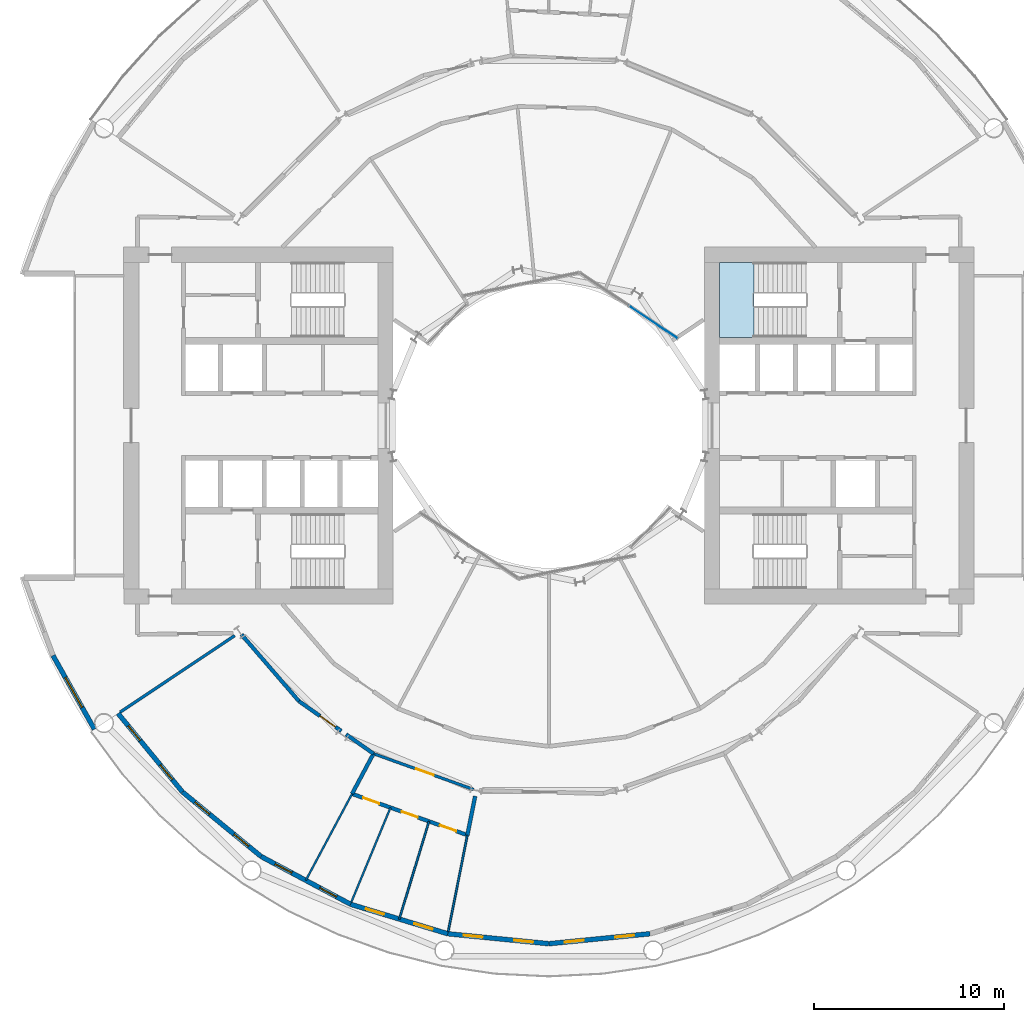
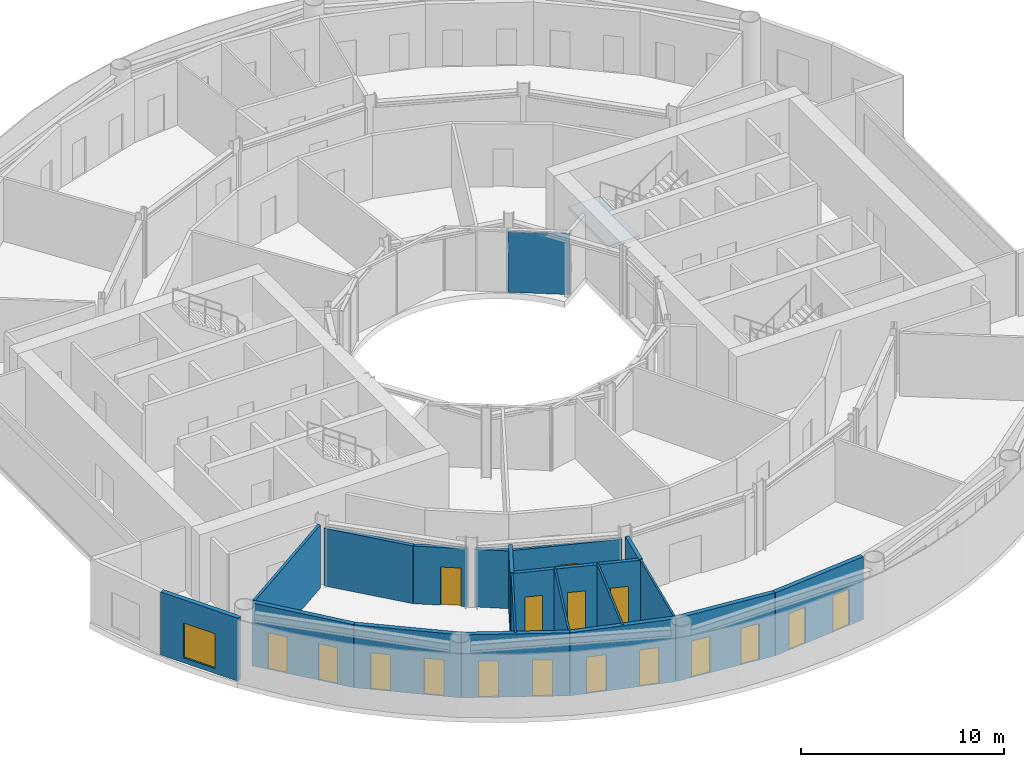
# One storey, part 10 of 19: 19 walls, 17 doors, 1 plate, 1 slab, 1 window, 18 openings, 2 elements without a shape of their own.
"""IFC4 building model written with IfcOpenShell, lengths in metres."""

from ifc_helpers import new_model, si_unit, direction, frame, frame_2d, origin, origin_2d, place, context, subcontext, project, spatial, polyline, rectangle, outline, extrude, material, layer, layer_set, type_object, element, fill, aggregate, save


model = new_model("IFC4")

# Units and contexts
model_context = context("Model", 3, precision=1e-05, world=origin(), true_north=direction((0.0, 1.0)))
body_context = subcontext(model_context, "Body", "Model", "MODEL_VIEW")
ifc_project = project(units=[si_unit("LENGTHUNIT", "METRE"), si_unit("AREAUNIT", "SQUARE_METRE"), si_unit("VOLUMEUNIT", "CUBIC_METRE"), si_unit("PLANEANGLEUNIT", "RADIAN"), si_unit("MASSUNIT", "GRAM", prefix="KILO")], contexts=[model_context])

# Site, building, storey
site_placement = place(None, origin())
site = spatial("IfcSite", under=ifc_project, at=site_placement, CompositionType="ELEMENT")
building_placement = place(site_placement, origin())
building = spatial("IfcBuilding", under=site, at=building_placement, Name="Maasbend Ring Residences", CompositionType="ELEMENT")
storey_placement = place(building_placement, frame((0.0, 0.0, 53.300048828125)))
storey = spatial("IfcBuildingStorey", under=building, at=storey_placement, Name="L15", CompositionType="ELEMENT", Elevation=53.300048828125)

# Stair, slab
ifc_material_1 = material(Name="Concrete C40/50", Category="concrete")
stair_type = type_object("IfcStairType", Name="CORE STAIR 24 RISERS", PredefinedType="HALF_TURN_STAIR", material=ifc_material_1)
stair_placement = place(storey_placement, origin())
stair = element("IfcStair", 1, at=stair_placement, inside=storey, type_object=stair_type, Name="L15 Exit stair ST-E1", PredefinedType="HALF_TURN_STAIR")
ifc_material_2 = material(Name="Concrete C40/50", Category="concrete")
ifc_layer_1 = layer(ifc_material_2, 0.199951171875)
ifc_layer_set_1 = layer_set([ifc_layer_1], Name="Concrete C40/50")
slab_type = type_object("IfcSlabType", Name="CORE STAIR LANDING 200", PredefinedType="LANDING", material=ifc_layer_set_1)
slab_placement = place(storey_placement, frame((0.0, 0.0, 1.89990234375)))
slab = element("IfcSlab", 2, at=slab_placement, type_object=slab_type, Name="ST-E1 landing 1", PredefinedType="LANDING", context=body_context, shape_type="SweptSolid", body=[
    extrude(outline(polyline([(10.800048828125, 8.60009765625), (9.0, 8.60009765625), (9.0, 4.64990234375), (10.800048828125, 4.64990234375), (10.800048828125, 8.60009765625)])), origin(), (0.0, 0.0, 1.0), 0.199951171875),
])
aggregate(stair, [slab])

# Curtain wall, plate
ifc_material_3 = material(Name="Aluminium and clear glass", Category="aluminium")
ifc_layer_2 = layer(ifc_material_3, 0.179931640625)
ifc_layer_set_2 = layer_set([ifc_layer_2], Name="CW-W")
curtain_wall_type = type_object("IfcCurtainWallType", Name="CW-W", PredefinedType="NOTDEFINED", material=ifc_layer_set_2)
curtain_wall_placement = place(storey_placement, origin())
curtain_wall = element("IfcCurtainWall", 3, at=curtain_wall_placement, inside=storey, type_object=curtain_wall_type, Name="Well curtain wall N1", PredefinedType="NOTDEFINED")
ifc_material_4 = material(Name="Glass clear laminated", Category="glass")
ifc_layer_3 = layer(ifc_material_4, 0.031982421875)
ifc_layer_set_3 = layer_set([ifc_layer_3], Name="CWP-W")
plate_type = type_object("IfcPlateType", Name="CWP-W", PredefinedType="CURTAIN_PANEL", material=ifc_layer_set_3)
plate_placement = place(storey_placement, frame((5.51123046875, 5.44580078125, 0.0), z_axis=(0.0, 0.0, 1.0), x_axis=(-0.831469612303, 0.55557023302, 0.0)))
plate = element("IfcPlate", 4, at=plate_placement, type_object=plate_type, Name="Glass panel well face", PredefinedType="CURTAIN_PANEL", context=body_context, shape_type="SweptSolid", body=[
    extrude(rectangle(XDim=3.053955078125, YDim=0.031982421875, at=origin_2d()), origin(), (0.0, 0.0, 1.0), 3.679931640625),
])
aggregate(curtain_wall, [plate])

# Wall, openings, doors
ifc_material_5 = material(Name="Concrete C30/37", Category="concrete")
ifc_layer_4 = layer(ifc_material_5, 0.199951171875)
ifc_layer_set_4 = layer_set([ifc_layer_4], Name="Concrete C30/37")
wall_type_1 = type_object("IfcWallType", Name="CORRIDOR WALL 200 CONCRETE", PredefinedType="PARTITIONING", material=ifc_layer_set_4)
wall_1_placement = place(storey_placement, frame((-10.373046875, -19.40087890625, 0.0), z_axis=(0.0, 0.0, 1.0), x_axis=(0.941534771306, -0.336915826909, 0.0)))
wall_1 = element("IfcWall", 5, at=wall_1_placement, inside=storey, type_object=wall_type_1, Name="U-L15-w001", PredefinedType="PARTITIONING", context=body_context, shape_type="SweptSolid", body=[
    extrude(rectangle(XDim=6.458740234375, YDim=0.199951171875, at=frame_2d((3.2294921875, 0.0))), origin(), (0.0, 0.0, 1.0), 3.800048828125),
])
opening_1_placement = place(wall_1_placement, frame((0.626953125, 0.0, 0.0)))
opening_1 = element("IfcOpeningElement", 6, at=opening_1_placement, cuts=wall_1, Name="Opening D-1506", PredefinedType="OPENING", context=body_context, shape_type="SweptSolid", body=[
    extrude(rectangle(XDim=0.89990234375, YDim=2.300048828125, at=frame_2d((0.449951171875, 1.14990234375))), frame((0.0, 0.10986328125, 0.0), z_axis=(0.0, -1.0, 0.0), x_axis=(1.0, 0.0, 0.0)), (0.0, 0.0, 1.0), 0.219970703125),
])
opening_2_placement = place(wall_1_placement, frame((2.781005859375, 0.0, 0.0)))
opening_2 = element("IfcOpeningElement", 7, at=opening_2_placement, cuts=wall_1, Name="Opening D-1507", PredefinedType="OPENING", context=body_context, shape_type="SweptSolid", body=[
    extrude(rectangle(XDim=0.89990234375, YDim=2.300048828125, at=frame_2d((0.449951171875, 1.14990234375))), frame((0.0, 0.10986328125, 0.0), z_axis=(0.0, -1.0, 0.0), x_axis=(1.0, 0.0, 0.0)), (0.0, 0.0, 1.0), 0.219970703125),
])
opening_3_placement = place(wall_1_placement, frame((4.93310546875, 0.0, 0.0)))
opening_3 = element("IfcOpeningElement", 8, at=opening_3_placement, cuts=wall_1, Name="Opening D-1508", PredefinedType="OPENING", context=body_context, shape_type="SweptSolid", body=[
    extrude(rectangle(XDim=0.89990234375, YDim=2.300048828125, at=frame_2d((0.449951171875, 1.14990234375))), frame((0.0, 0.10986328125, 0.0), z_axis=(0.0, -1.0, 0.0), x_axis=(1.0, 0.0, 0.0)), (0.0, 0.0, 1.0), 0.219970703125),
])
ifc_material_6 = material(Name="Timber, painted", Category="wood")
door_type_1 = type_object("IfcDoorType", Name="INTERNAL DOOR 900 X 2300", OperationType="NOTDEFINED", PredefinedType="DOOR", material=ifc_material_6)
door_1_placement = place(opening_1_placement, origin())
door_1 = element("IfcDoor", 9, at=door_1_placement, inside=storey, type_object=door_type_1, Name="D-1506", OperationType="SINGLE_SWING_LEFT", OverallHeight=2.300048828125, OverallWidth=0.89990234375, PredefinedType="DOOR", context=body_context, shape_type="SweptSolid", body=[
    extrude(rectangle(XDim=0.89990234375, YDim=2.300048828125, at=frame_2d((0.449951171875, 1.14990234375))), frame((0.0, 0.02490234375, 0.0), z_axis=(0.0, -1.0, 0.0), x_axis=(1.0, 0.0, 0.0)), (0.0, 0.0, 1.0), 0.050048828125),
])
fill(opening_1, door_1)
door_2_placement = place(opening_2_placement, origin())
door_2 = element("IfcDoor", 10, at=door_2_placement, inside=storey, type_object=door_type_1, Name="D-1507", OperationType="SINGLE_SWING_RIGHT", OverallHeight=2.300048828125, OverallWidth=0.89990234375, PredefinedType="DOOR", context=body_context, shape_type="SweptSolid", body=[
    extrude(rectangle(XDim=0.89990234375, YDim=2.300048828125, at=frame_2d((0.449951171875, 1.14990234375))), frame((0.0, 0.02490234375, 0.0), z_axis=(0.0, -1.0, 0.0), x_axis=(1.0, 0.0, 0.0)), (0.0, 0.0, 1.0), 0.050048828125),
])
fill(opening_2, door_2)
door_3_placement = place(opening_3_placement, origin())
door_3 = element("IfcDoor", 11, at=door_3_placement, inside=storey, type_object=door_type_1, Name="D-1508", OperationType="SINGLE_SWING_RIGHT", OverallHeight=2.300048828125, OverallWidth=0.89990234375, PredefinedType="DOOR", context=body_context, shape_type="SweptSolid", body=[
    extrude(rectangle(XDim=0.89990234375, YDim=2.300048828125, at=frame_2d((0.449951171875, 1.14990234375))), frame((0.0, 0.02490234375, 0.0), z_axis=(0.0, -1.0, 0.0), x_axis=(1.0, 0.0, 0.0)), (0.0, 0.0, 1.0), 0.050048828125),
])
fill(opening_3, door_3)

# Wall
wall_2_placement = place(storey_placement, frame((-16.196044921875, -11.006103515625, 0.0), z_axis=(0.0, 0.0, 1.0), x_axis=(0.653087281304, -0.757282644063, 0.0)))
element("IfcWall", 12, at=wall_2_placement, inside=storey, type_object=wall_type_1, Name="U-L15-w004", PredefinedType="PARTITIONING", context=body_context, shape_type="SweptSolid", body=[
    extrude(rectangle(XDim=4.64404296875, YDim=0.199951171875, at=frame_2d((2.322021484375, 0.0))), origin(), (0.0, 0.0, 1.0), 3.47998046875),
])

# Wall, opening, door
wall_3_placement = place(storey_placement, frame((-13.1630859375, -14.52294921875, 0.0), z_axis=(0.0, 0.0, 1.0), x_axis=(0.817764243714, -0.575553335237, 0.0)))
wall_3 = element("IfcWall", 13, at=wall_3_placement, inside=storey, type_object=wall_type_1, Name="U-L15-w005", PredefinedType="PARTITIONING", context=body_context, shape_type="SweptSolid", body=[
    extrude(rectangle(XDim=2.724609375, YDim=0.199951171875, at=frame_2d((1.3623046875, 0.0))), origin(), (0.0, 0.0, 1.0), 3.47998046875),
])
opening_4_placement = place(wall_3_placement, frame((1.35009765625, 0.0, 0.0)))
opening_4 = element("IfcOpeningElement", 14, at=opening_4_placement, cuts=wall_3, Name="Opening D-1516", PredefinedType="OPENING", context=body_context, shape_type="SweptSolid", body=[
    extrude(rectangle(XDim=1.0, YDim=2.300048828125, at=frame_2d((0.5, 1.14990234375))), frame((0.0, 0.10986328125, 0.0), z_axis=(0.0, -1.0, 0.0), x_axis=(1.0, 0.0, 0.0)), (0.0, 0.0, 1.0), 0.219970703125),
])
ifc_material_7 = material(Name="Timber, painted", Category="wood")
door_type_2 = type_object("IfcDoorType", Name="ROOM DOOR 1000 X 2300", OperationType="NOTDEFINED", PredefinedType="DOOR", material=ifc_material_7)
door_4_placement = place(opening_4_placement, origin())
door_4 = element("IfcDoor", 15, at=door_4_placement, inside=storey, type_object=door_type_2, Name="D-1516", OperationType="SINGLE_SWING_RIGHT", OverallHeight=2.300048828125, OverallWidth=1.0, PredefinedType="DOOR", context=body_context, shape_type="SweptSolid", body=[
    extrude(rectangle(XDim=1.0, YDim=2.300048828125, at=frame_2d((0.5, 1.14990234375))), frame((0.0, 0.02490234375, 0.0), z_axis=(0.0, -1.0, 0.0), x_axis=(1.0, 0.0, 0.0)), (0.0, 0.0, 1.0), 0.050048828125),
])
fill(opening_4, door_4)

# Walls
wall_4_placement = place(storey_placement, frame((-10.68603515625, -16.26708984375, 0.0), z_axis=(0.0, 0.0, 1.0), x_axis=(0.81766692021, -0.575691590693, 0.0)))
element("IfcWall", 16, at=wall_4_placement, inside=storey, type_object=wall_type_1, Name="U-L15-w006", PredefinedType="PARTITIONING", context=body_context, shape_type="SweptSolid", body=[
    extrude(rectangle(XDim=1.769775390625, YDim=0.199951171875, at=frame_2d((0.884765625, 0.0))), origin(), (0.0, 0.0, 1.0), 3.47998046875),
])
wall_5_placement = place(storey_placement, frame((-10.3701171875, -19.402099609375, 0.0), z_axis=(0.0, 0.0, 1.0), x_axis=(0.471385457832, 0.881927293004, 0.0)))
element("IfcWall", 17, at=wall_5_placement, inside=storey, type_object=wall_type_1, Name="U-L15-w031", PredefinedType="PARTITIONING", context=body_context, shape_type="SweptSolid", body=[
    extrude(rectangle(XDim=2.3994140625, YDim=0.199951171875, at=frame_2d((1.19970703125, 0.0))), origin(), (0.0, 0.0, 1.0), 3.800048828125),
])
wall_6_placement = place(storey_placement, frame((-4.2919921875, -21.576904296875, 0.0), z_axis=(0.0, 0.0, 1.0), x_axis=(0.195195020704, 0.98076444873, 0.0)))
element("IfcWall", 18, at=wall_6_placement, inside=storey, type_object=wall_type_1, Name="U-L15-w036", PredefinedType="PARTITIONING", context=body_context, shape_type="SweptSolid", body=[
    extrude(rectangle(XDim=2.090087890625, YDim=0.199951171875, at=frame_2d((1.044921875, 0.0))), origin(), (0.0, 0.0, 1.0), 3.800048828125),
])

# Wall, openings, doors
ifc_material_8 = material(Name="Aluminium clad insulated panel", Category="aluminium")
ifc_layer_5 = layer(ifc_material_8, 0.25)
ifc_layer_set_5 = layer_set([ifc_layer_5], Name="EW-GL")
wall_type_2 = type_object("IfcWallType", Name="EW-GL", PredefinedType="SOLIDWALL", material=ifc_layer_set_5)
wall_7_placement = place(storey_placement, frame((-22.698974609375, -15.1669921875, 0.0), z_axis=(0.0, 0.0, 1.0), x_axis=(0.634382322723, -0.773019449054, 0.0)))
wall_7 = element("IfcWall", 19, at=wall_7_placement, inside=storey, type_object=wall_type_2, Name="External wall S01", PredefinedType="SOLIDWALL", context=body_context, shape_type="SweptSolid", body=[
    extrude(rectangle(XDim=5.351806640625, YDim=0.25, at=frame_2d((2.67578125, 0.0))), origin(), (0.0, 0.0, 1.0), 3.800048828125),
])
opening_5_placement = place(wall_7_placement, frame((0.841064453125, 0.0, 0.0)))
opening_5 = element("IfcOpeningElement", 20, at=opening_5_placement, cuts=wall_7, Name="Opening D-LG", PredefinedType="OPENING", context=body_context, shape_type="SweptSolid", body=[
    extrude(rectangle(XDim=1.0, YDim=2.199951171875, at=frame_2d((0.5, 1.10009765625))), frame((0.0, 0.135009765625, 0.0), z_axis=(0.0, -1.0, 0.0), x_axis=(1.0, 0.0, 0.0)), (0.0, 0.0, 1.0), 0.27001953125),
])
opening_6_placement = place(wall_7_placement, frame((3.510498046875, 0.0, 0.0)))
opening_6 = element("IfcOpeningElement", 21, at=opening_6_placement, cuts=wall_7, Name="Opening D-LG", PredefinedType="OPENING", context=body_context, shape_type="SweptSolid", body=[
    extrude(rectangle(XDim=1.0, YDim=2.199951171875, at=frame_2d((0.5, 1.10009765625))), frame((0.0, 0.135009765625, 0.0), z_axis=(0.0, -1.0, 0.0), x_axis=(1.0, 0.0, 0.0)), (0.0, 0.0, 1.0), 0.27001953125),
])
ifc_material_9 = material(Name="Aluminium and clear glass", Category="aluminium")
door_type_3 = type_object("IfcDoorType", Name="D-LG", OperationType="SINGLE_SWING_LEFT", PredefinedType="DOOR", material=ifc_material_9)
door_5_placement = place(opening_5_placement, origin())
door_5 = element("IfcDoor", 22, at=door_5_placement, inside=storey, type_object=door_type_3, Name="Loggia door S01", OperationType="SINGLE_SWING_LEFT", OverallHeight=2.199951171875, OverallWidth=1.0, PredefinedType="DOOR", context=body_context, shape_type="SweptSolid", body=[
    extrude(rectangle(XDim=1.0, YDim=2.199951171875, at=frame_2d((0.5, 1.10009765625))), frame((0.0, 0.02490234375, 0.0), z_axis=(0.0, -1.0, 0.0), x_axis=(1.0, 0.0, 0.0)), (0.0, 0.0, 1.0), 0.050048828125),
])
fill(opening_5, door_5)
door_6_placement = place(opening_6_placement, origin())
door_6 = element("IfcDoor", 23, at=door_6_placement, inside=storey, type_object=door_type_3, Name="Loggia door S02", OperationType="SINGLE_SWING_LEFT", OverallHeight=2.199951171875, OverallWidth=1.0, PredefinedType="DOOR", context=body_context, shape_type="SweptSolid", body=[
    extrude(rectangle(XDim=1.0, YDim=2.199951171875, at=frame_2d((0.5, 1.10009765625))), frame((0.0, 0.02490234375, 0.0), z_axis=(0.0, -1.0, 0.0), x_axis=(1.0, 0.0, 0.0)), (0.0, 0.0, 1.0), 0.050048828125),
])
fill(opening_6, door_6)

wall_8_placement = place(storey_placement, frame((-19.303955078125, -19.303955078125, 0.0), z_axis=(0.0, 0.0, 1.0), x_axis=(0.773019449054, -0.634382322723, 0.0)))
wall_8 = element("IfcWall", 24, at=wall_8_placement, inside=storey, type_object=wall_type_2, Name="External wall S02", PredefinedType="SOLIDWALL", context=body_context, shape_type="SweptSolid", body=[
    extrude(rectangle(XDim=5.351806640625, YDim=0.25, at=frame_2d((2.67578125, 0.0))), origin(), (0.0, 0.0, 1.0), 3.800048828125),
])
opening_7_placement = place(wall_8_placement, frame((0.841064453125, 0.0, 0.0)))
opening_7 = element("IfcOpeningElement", 25, at=opening_7_placement, cuts=wall_8, Name="Opening D-LG", PredefinedType="OPENING", context=body_context, shape_type="SweptSolid", body=[
    extrude(rectangle(XDim=1.0, YDim=2.199951171875, at=frame_2d((0.5, 1.10009765625))), frame((0.0, 0.135009765625, 0.0), z_axis=(0.0, -1.0, 0.0), x_axis=(1.0, 0.0, 0.0)), (0.0, 0.0, 1.0), 0.27001953125),
])
opening_8_placement = place(wall_8_placement, frame((3.510498046875, 0.0, 0.0)))
opening_8 = element("IfcOpeningElement", 26, at=opening_8_placement, cuts=wall_8, Name="Opening D-LG", PredefinedType="OPENING", context=body_context, shape_type="SweptSolid", body=[
    extrude(rectangle(XDim=1.0, YDim=2.199951171875, at=frame_2d((0.5, 1.10009765625))), frame((0.0, 0.135009765625, 0.0), z_axis=(0.0, -1.0, 0.0), x_axis=(1.0, 0.0, 0.0)), (0.0, 0.0, 1.0), 0.27001953125),
])
door_7_placement = place(opening_7_placement, origin())
door_7 = element("IfcDoor", 27, at=door_7_placement, inside=storey, type_object=door_type_3, Name="Loggia door S03", OperationType="SINGLE_SWING_LEFT", OverallHeight=2.199951171875, OverallWidth=1.0, PredefinedType="DOOR", context=body_context, shape_type="SweptSolid", body=[
    extrude(rectangle(XDim=1.0, YDim=2.199951171875, at=frame_2d((0.5, 1.10009765625))), frame((0.0, 0.02490234375, 0.0), z_axis=(0.0, -1.0, 0.0), x_axis=(1.0, 0.0, 0.0)), (0.0, 0.0, 1.0), 0.050048828125),
])
fill(opening_7, door_7)
door_8_placement = place(opening_8_placement, origin())
door_8 = element("IfcDoor", 28, at=door_8_placement, inside=storey, type_object=door_type_3, Name="Loggia door S04", OperationType="SINGLE_SWING_LEFT", OverallHeight=2.199951171875, OverallWidth=1.0, PredefinedType="DOOR", context=body_context, shape_type="SweptSolid", body=[
    extrude(rectangle(XDim=1.0, YDim=2.199951171875, at=frame_2d((0.5, 1.10009765625))), frame((0.0, 0.02490234375, 0.0), z_axis=(0.0, -1.0, 0.0), x_axis=(1.0, 0.0, 0.0)), (0.0, 0.0, 1.0), 0.050048828125),
])
fill(opening_8, door_8)

wall_9_placement = place(storey_placement, frame((-15.1669921875, -22.698974609375, 0.0), z_axis=(0.0, 0.0, 1.0), x_axis=(0.881915646801, -0.471407246368, 0.0)))
wall_9 = element("IfcWall", 29, at=wall_9_placement, inside=storey, type_object=wall_type_2, Name="External wall S03", PredefinedType="SOLIDWALL", context=body_context, shape_type="SweptSolid", body=[
    extrude(rectangle(XDim=5.35205078125, YDim=0.25, at=frame_2d((2.676025390625, 0.0))), origin(), (0.0, 0.0, 1.0), 3.800048828125),
])
opening_9_placement = place(wall_9_placement, frame((0.841064453125, 0.0, 0.0)))
opening_9 = element("IfcOpeningElement", 30, at=opening_9_placement, cuts=wall_9, Name="Opening D-LG", PredefinedType="OPENING", context=body_context, shape_type="SweptSolid", body=[
    extrude(rectangle(XDim=1.0, YDim=2.199951171875, at=frame_2d((0.5, 1.10009765625))), frame((0.0, 0.135009765625, 0.0), z_axis=(0.0, -1.0, 0.0), x_axis=(1.0, 0.0, 0.0)), (0.0, 0.0, 1.0), 0.27001953125),
])
opening_10_placement = place(wall_9_placement, frame((3.510498046875, 0.0, 0.0)))
opening_10 = element("IfcOpeningElement", 31, at=opening_10_placement, cuts=wall_9, Name="Opening D-LG", PredefinedType="OPENING", context=body_context, shape_type="SweptSolid", body=[
    extrude(rectangle(XDim=1.0, YDim=2.199951171875, at=frame_2d((0.5, 1.10009765625))), frame((0.0, 0.135009765625, 0.0), z_axis=(0.0, -1.0, 0.0), x_axis=(1.0, 0.0, 0.0)), (0.0, 0.0, 1.0), 0.27001953125),
])
door_9_placement = place(opening_9_placement, origin())
door_9 = element("IfcDoor", 32, at=door_9_placement, inside=storey, type_object=door_type_3, Name="Loggia door S05", OperationType="SINGLE_SWING_LEFT", OverallHeight=2.199951171875, OverallWidth=1.0, PredefinedType="DOOR", context=body_context, shape_type="SweptSolid", body=[
    extrude(rectangle(XDim=1.0, YDim=2.199951171875, at=frame_2d((0.5, 1.10009765625))), frame((0.0, 0.02490234375, 0.0), z_axis=(0.0, -1.0, 0.0), x_axis=(1.0, 0.0, 0.0)), (0.0, 0.0, 1.0), 0.050048828125),
])
fill(opening_9, door_9)
door_10_placement = place(opening_10_placement, origin())
door_10 = element("IfcDoor", 33, at=door_10_placement, inside=storey, type_object=door_type_3, Name="Loggia door S06", OperationType="SINGLE_SWING_LEFT", OverallHeight=2.199951171875, OverallWidth=1.0, PredefinedType="DOOR", context=body_context, shape_type="SweptSolid", body=[
    extrude(rectangle(XDim=1.0, YDim=2.199951171875, at=frame_2d((0.5, 1.10009765625))), frame((0.0, 0.02490234375, 0.0), z_axis=(0.0, -1.0, 0.0), x_axis=(1.0, 0.0, 0.0)), (0.0, 0.0, 1.0), 0.050048828125),
])
fill(opening_10, door_10)

wall_10_placement = place(storey_placement, frame((-10.447021484375, -25.221923828125, 0.0), z_axis=(0.0, 0.0, 1.0), x_axis=(0.956965678721, -0.290201119486, 0.0)))
wall_10 = element("IfcWall", 34, at=wall_10_placement, inside=storey, type_object=wall_type_2, Name="External wall S04", PredefinedType="SOLIDWALL", context=body_context, shape_type="SweptSolid", body=[
    extrude(rectangle(XDim=5.351318359375, YDim=0.25, at=frame_2d((2.67578125, 0.0))), origin(), (0.0, 0.0, 1.0), 3.800048828125),
])
opening_11_placement = place(wall_10_placement, frame((0.841064453125, 0.0, 0.0)))
opening_11 = element("IfcOpeningElement", 35, at=opening_11_placement, cuts=wall_10, Name="Opening D-LG", PredefinedType="OPENING", context=body_context, shape_type="SweptSolid", body=[
    extrude(rectangle(XDim=1.0, YDim=2.199951171875, at=frame_2d((0.5, 1.10009765625))), frame((0.0, 0.135009765625, 0.0), z_axis=(0.0, -1.0, 0.0), x_axis=(1.0, 0.0, 0.0)), (0.0, 0.0, 1.0), 0.27001953125),
])
opening_12_placement = place(wall_10_placement, frame((3.510498046875, 0.0, 0.0)))
opening_12 = element("IfcOpeningElement", 36, at=opening_12_placement, cuts=wall_10, Name="Opening D-LG", PredefinedType="OPENING", context=body_context, shape_type="SweptSolid", body=[
    extrude(rectangle(XDim=1.0, YDim=2.199951171875, at=frame_2d((0.5, 1.10009765625))), frame((0.0, 0.135009765625, 0.0), z_axis=(0.0, -1.0, 0.0), x_axis=(1.0, 0.0, 0.0)), (0.0, 0.0, 1.0), 0.27001953125),
])
door_11_placement = place(opening_11_placement, origin())
door_11 = element("IfcDoor", 37, at=door_11_placement, inside=storey, type_object=door_type_3, Name="Loggia door S07", OperationType="SINGLE_SWING_LEFT", OverallHeight=2.199951171875, OverallWidth=1.0, PredefinedType="DOOR", context=body_context, shape_type="SweptSolid", body=[
    extrude(rectangle(XDim=1.0, YDim=2.199951171875, at=frame_2d((0.5, 1.10009765625))), frame((0.0, 0.02490234375, 0.0), z_axis=(0.0, -1.0, 0.0), x_axis=(1.0, 0.0, 0.0)), (0.0, 0.0, 1.0), 0.050048828125),
])
fill(opening_11, door_11)
door_12_placement = place(opening_12_placement, origin())
door_12 = element("IfcDoor", 38, at=door_12_placement, inside=storey, type_object=door_type_3, Name="Loggia door S08", OperationType="SINGLE_SWING_LEFT", OverallHeight=2.199951171875, OverallWidth=1.0, PredefinedType="DOOR", context=body_context, shape_type="SweptSolid", body=[
    extrude(rectangle(XDim=1.0, YDim=2.199951171875, at=frame_2d((0.5, 1.10009765625))), frame((0.0, 0.02490234375, 0.0), z_axis=(0.0, -1.0, 0.0), x_axis=(1.0, 0.0, 0.0)), (0.0, 0.0, 1.0), 0.050048828125),
])
fill(opening_12, door_12)

wall_11_placement = place(storey_placement, frame((-5.325927734375, -26.77490234375, 0.0), z_axis=(0.0, 0.0, 1.0), x_axis=(0.995173996315, -0.098126026407, 0.0)))
wall_11 = element("IfcWall", 39, at=wall_11_placement, inside=storey, type_object=wall_type_2, Name="External wall S05", PredefinedType="SOLIDWALL", context=body_context, shape_type="SweptSolid", body=[
    extrude(rectangle(XDim=5.351806640625, YDim=0.25, at=frame_2d((2.67578125, 0.0))), origin(), (0.0, 0.0, 1.0), 3.800048828125),
])
opening_13_placement = place(wall_11_placement, frame((0.841064453125, 0.0, 0.0)))
opening_13 = element("IfcOpeningElement", 40, at=opening_13_placement, cuts=wall_11, Name="Opening D-LG", PredefinedType="OPENING", context=body_context, shape_type="SweptSolid", body=[
    extrude(rectangle(XDim=1.0, YDim=2.199951171875, at=frame_2d((0.5, 1.10009765625))), frame((0.0, 0.135009765625, 0.0), z_axis=(0.0, -1.0, 0.0), x_axis=(1.0, 0.0, 0.0)), (0.0, 0.0, 1.0), 0.27001953125),
])
opening_14_placement = place(wall_11_placement, frame((3.510498046875, 0.0, 0.0)))
opening_14 = element("IfcOpeningElement", 41, at=opening_14_placement, cuts=wall_11, Name="Opening D-LG", PredefinedType="OPENING", context=body_context, shape_type="SweptSolid", body=[
    extrude(rectangle(XDim=1.0, YDim=2.199951171875, at=frame_2d((0.5, 1.10009765625))), frame((0.0, 0.135009765625, 0.0), z_axis=(0.0, -1.0, 0.0), x_axis=(1.0, 0.0, 0.0)), (0.0, 0.0, 1.0), 0.27001953125),
])
door_13_placement = place(opening_13_placement, origin())
door_13 = element("IfcDoor", 42, at=door_13_placement, inside=storey, type_object=door_type_3, Name="Loggia door S09", OperationType="SINGLE_SWING_LEFT", OverallHeight=2.199951171875, OverallWidth=1.0, PredefinedType="DOOR", context=body_context, shape_type="SweptSolid", body=[
    extrude(rectangle(XDim=1.0, YDim=2.199951171875, at=frame_2d((0.5, 1.10009765625))), frame((0.0, 0.02490234375, 0.0), z_axis=(0.0, -1.0, 0.0), x_axis=(1.0, 0.0, 0.0)), (0.0, 0.0, 1.0), 0.050048828125),
])
fill(opening_13, door_13)
door_14_placement = place(opening_14_placement, origin())
door_14 = element("IfcDoor", 43, at=door_14_placement, inside=storey, type_object=door_type_3, Name="Loggia door S10", OperationType="SINGLE_SWING_LEFT", OverallHeight=2.199951171875, OverallWidth=1.0, PredefinedType="DOOR", context=body_context, shape_type="SweptSolid", body=[
    extrude(rectangle(XDim=1.0, YDim=2.199951171875, at=frame_2d((0.5, 1.10009765625))), frame((0.0, 0.02490234375, 0.0), z_axis=(0.0, -1.0, 0.0), x_axis=(1.0, 0.0, 0.0)), (0.0, 0.0, 1.0), 0.050048828125),
])
fill(opening_14, door_14)

wall_12_placement = place(storey_placement, frame((0.0, -27.300048828125, 0.0), z_axis=(0.0, 0.0, 1.0), x_axis=(0.995173996315, 0.098126026407, 0.0)))
wall_12 = element("IfcWall", 44, at=wall_12_placement, inside=storey, type_object=wall_type_2, Name="External wall S06", PredefinedType="SOLIDWALL", context=body_context, shape_type="SweptSolid", body=[
    extrude(rectangle(XDim=5.351806640625, YDim=0.25, at=frame_2d((2.67578125, 0.0))), origin(), (0.0, 0.0, 1.0), 3.800048828125),
])
opening_15_placement = place(wall_12_placement, frame((0.841064453125, 0.0, 0.0)))
opening_15 = element("IfcOpeningElement", 45, at=opening_15_placement, cuts=wall_12, Name="Opening D-LG", PredefinedType="OPENING", context=body_context, shape_type="SweptSolid", body=[
    extrude(rectangle(XDim=1.0, YDim=2.199951171875, at=frame_2d((0.5, 1.10009765625))), frame((0.0, 0.135009765625, 0.0), z_axis=(0.0, -1.0, 0.0), x_axis=(1.0, 0.0, 0.0)), (0.0, 0.0, 1.0), 0.27001953125),
])
opening_16_placement = place(wall_12_placement, frame((3.510498046875, 0.0, 0.0)))
opening_16 = element("IfcOpeningElement", 46, at=opening_16_placement, cuts=wall_12, Name="Opening D-LG", PredefinedType="OPENING", context=body_context, shape_type="SweptSolid", body=[
    extrude(rectangle(XDim=1.0, YDim=2.199951171875, at=frame_2d((0.5, 1.10009765625))), frame((0.0, 0.135009765625, 0.0), z_axis=(0.0, -1.0, 0.0), x_axis=(1.0, 0.0, 0.0)), (0.0, 0.0, 1.0), 0.27001953125),
])
door_15_placement = place(opening_15_placement, origin())
door_15 = element("IfcDoor", 47, at=door_15_placement, inside=storey, type_object=door_type_3, Name="Loggia door S11", OperationType="SINGLE_SWING_LEFT", OverallHeight=2.199951171875, OverallWidth=1.0, PredefinedType="DOOR", context=body_context, shape_type="SweptSolid", body=[
    extrude(rectangle(XDim=1.0, YDim=2.199951171875, at=frame_2d((0.5, 1.10009765625))), frame((0.0, 0.02490234375, 0.0), z_axis=(0.0, -1.0, 0.0), x_axis=(1.0, 0.0, 0.0)), (0.0, 0.0, 1.0), 0.050048828125),
])
fill(opening_15, door_15)
door_16_placement = place(opening_16_placement, origin())
door_16 = element("IfcDoor", 48, at=door_16_placement, inside=storey, type_object=door_type_3, Name="Loggia door S12", OperationType="SINGLE_SWING_LEFT", OverallHeight=2.199951171875, OverallWidth=1.0, PredefinedType="DOOR", context=body_context, shape_type="SweptSolid", body=[
    extrude(rectangle(XDim=1.0, YDim=2.199951171875, at=frame_2d((0.5, 1.10009765625))), frame((0.0, 0.02490234375, 0.0), z_axis=(0.0, -1.0, 0.0), x_axis=(1.0, 0.0, 0.0)), (0.0, 0.0, 1.0), 0.050048828125),
])
fill(opening_16, door_16)

# Wall, opening, window
ifc_material_10 = material(Name="Aluminium clad insulated panel", Category="aluminium")
ifc_layer_6 = layer(ifc_material_10, 0.25)
ifc_layer_set_6 = layer_set([ifc_layer_6], Name="EW-HORN")
wall_type_3 = type_object("IfcWallType", Name="EW-HORN", PredefinedType="SOLIDWALL", material=ifc_layer_set_6)
wall_13_placement = place(storey_placement, frame((-26.126953125, -12.116943359375, 0.0), z_axis=(0.0, 0.0, 1.0), x_axis=(0.489696356642, -0.871893042919, 0.0)))
wall_13 = element("IfcWall", 49, at=wall_13_placement, inside=storey, type_object=wall_type_3, Name="Horn wall 3.2", PredefinedType="SOLIDWALL", context=body_context, shape_type="SweptSolid", body=[
    extrude(rectangle(XDim=4.45361328125, YDim=0.25, at=frame_2d((2.226806640625, 0.0))), origin(), (0.0, 0.0, 1.0), 3.800048828125),
])
opening_17_placement = place(wall_13_placement, frame((1.32666015625, 0.0, 0.300048828125)))
opening_17 = element("IfcOpeningElement", 50, at=opening_17_placement, cuts=wall_13, Name="Opening W-BX", PredefinedType="OPENING", context=body_context, shape_type="SweptSolid", body=[
    extrude(rectangle(XDim=1.800048828125, YDim=2.10009765625, at=frame_2d((0.89990234375, 1.050048828125))), frame((0.0, 0.135009765625, 0.0), z_axis=(0.0, -1.0, 0.0), x_axis=(1.0, 0.0, 0.0)), (0.0, 0.0, 1.0), 0.27001953125),
])
ifc_material_11 = material(Name="Aluminium and clear glass", Category="aluminium")
window_type = type_object("IfcWindowType", Name="W-BX", PartitioningType="DOUBLE_PANEL_VERTICAL", PredefinedType="WINDOW", material=ifc_material_11)
window_placement = place(opening_17_placement, origin())
window = element("IfcWindow", 51, at=window_placement, inside=storey, type_object=window_type, Name="Horn window 3.2", OverallHeight=2.10009765625, OverallWidth=1.800048828125, PartitioningType="SINGLE_PANEL", PredefinedType="WINDOW", context=body_context, shape_type="SweptSolid", body=[
    extrude(rectangle(XDim=1.800048828125, YDim=2.10009765625, at=frame_2d((0.89990234375, 1.050048828125))), frame((0.0, 0.030029296875, 0.0), z_axis=(0.0, -1.0, 0.0), x_axis=(1.0, 0.0, 0.0)), (0.0, 0.0, 1.0), 0.06005859375),
])
fill(opening_17, window)

# Walls
ifc_material_12 = material(Name="Gypsum board on steel studs", Category="steel")
ifc_layer_7 = layer(ifc_material_12, 0.10009765625)
ifc_layer_set_7 = layer_set([ifc_layer_7], Name="PARTITION 100 GYPSUM")
wall_type_4 = type_object("IfcWallType", Name="PARTITION 100 GYPSUM", PredefinedType="PARTITIONING", material=ifc_layer_set_7)
wall_14_placement = place(storey_placement, frame((-12.81005859375, -23.966064453125, 0.0), z_axis=(0.0, 0.0, 1.0), x_axis=(0.471464572183, 0.88188500224, 0.0)))
element("IfcWall", 52, at=wall_14_placement, inside=storey, type_object=wall_type_4, Name="U-L15-w029", PredefinedType="PARTITIONING", context=body_context, shape_type="SweptSolid", body=[
    extrude(rectangle(XDim=5.17529296875, YDim=0.10009765625, at=frame_2d((2.587646484375, 0.0))), origin(), (0.0, 0.0, 1.0), 3.800048828125),
])
wall_15_placement = place(storey_placement, frame((-10.406982421875, -25.10302734375, 0.0), z_axis=(0.0, 0.0, 1.0), x_axis=(0.382973519041, 0.923759321313, 0.0)))
element("IfcWall", 53, at=wall_15_placement, inside=storey, type_object=wall_type_4, Name="U-L15-w030", PredefinedType="PARTITIONING", context=body_context, shape_type="SweptSolid", body=[
    extrude(rectangle(XDim=5.38671875, YDim=0.10009765625, at=frame_2d((2.693359375, 0.0))), origin(), (0.0, 0.0, 1.0), 3.800048828125),
])
wall_16_placement = place(storey_placement, frame((-7.8798828125, -26.007080078125, 0.0), z_axis=(0.0, 0.0, 1.0), x_axis=(0.289945753839, 0.957043081492, 0.0)))
element("IfcWall", 54, at=wall_16_placement, inside=storey, type_object=wall_type_4, Name="U-L15-w034", PredefinedType="PARTITIONING", context=body_context, shape_type="SweptSolid", body=[
    extrude(rectangle(XDim=5.386474609375, YDim=0.10009765625, at=frame_2d((2.693359375, 0.0))), origin(), (0.0, 0.0, 1.0), 3.800048828125),
])
wall_17_placement = place(storey_placement, frame((-5.302001953125, -26.653076171875, 0.0), z_axis=(0.0, 0.0, 1.0), x_axis=(0.19514541008, 0.980774321098, 0.0)))
element("IfcWall", 55, at=wall_17_placement, inside=storey, type_object=wall_type_4, Name="U-L15-w035", PredefinedType="PARTITIONING", context=body_context, shape_type="SweptSolid", body=[
    extrude(rectangle(XDim=5.17578125, YDim=0.10009765625, at=frame_2d((2.587890625, 0.0))), origin(), (0.0, 0.0, 1.0), 3.800048828125),
])

# Wall, opening, door
ifc_material_13 = material(Name="Gypsum board on steel studs", Category="steel")
ifc_layer_8 = layer(ifc_material_13, 0.14990234375)
ifc_layer_set_8 = layer_set([ifc_layer_8], Name="PARTITION 150 GYPSUM")
wall_type_5 = type_object("IfcWallType", Name="PARTITION 150 GYPSUM", PredefinedType="PARTITIONING", material=ifc_layer_set_8)
wall_18_placement = place(storey_placement, frame((-9.239013671875, -17.285888671875, 0.0), z_axis=(0.0, 0.0, 1.0), x_axis=(0.94157995483, -0.336789531699, 0.0)))
wall_18 = element("IfcWall", 56, at=wall_18_placement, inside=storey, type_object=wall_type_5, Name="U-L15-w010", PredefinedType="PARTITIONING", context=body_context, shape_type="SweptSolid", body=[
    extrude(rectangle(XDim=5.596923828125, YDim=0.14990234375, at=frame_2d((2.79833984375, 0.0))), origin(), (0.0, 0.0, 1.0), 3.47998046875),
])
opening_18_placement = place(wall_18_placement, frame((2.3759765625, 0.0, 0.0)))
opening_18 = element("IfcOpeningElement", 57, at=opening_18_placement, cuts=wall_18, Name="Opening D-1505", PredefinedType="OPENING", context=body_context, shape_type="SweptSolid", body=[
    extrude(rectangle(XDim=1.0, YDim=2.300048828125, at=frame_2d((0.5, 1.14990234375))), frame((0.0, 0.0849609375, 0.0), z_axis=(0.0, -1.0, 0.0), x_axis=(1.0, 0.0, 0.0)), (0.0, 0.0, 1.0), 0.169921875),
])
door_17_placement = place(opening_18_placement, origin())
door_17 = element("IfcDoor", 58, at=door_17_placement, inside=storey, type_object=door_type_2, Name="D-1505", OperationType="SINGLE_SWING_RIGHT", OverallHeight=2.300048828125, OverallWidth=1.0, PredefinedType="DOOR", context=body_context, shape_type="SweptSolid", body=[
    extrude(rectangle(XDim=1.0, YDim=2.300048828125, at=frame_2d((0.5, 1.14990234375))), frame((0.0, 0.02490234375, 0.0), z_axis=(0.0, -1.0, 0.0), x_axis=(1.0, 0.0, 0.0)), (0.0, 0.0, 1.0), 0.050048828125),
])
fill(opening_18, door_17)

# Wall
wall_19_placement = place(storey_placement, frame((-22.593017578125, -15.10107421875, 0.0), z_axis=(0.0, 0.0, 1.0), x_axis=(0.831491533374, 0.555537424416, 0.0)))
element("IfcWall", 59, at=wall_19_placement, inside=storey, type_object=wall_type_5, Name="U-L15-w027", PredefinedType="PARTITIONING", context=body_context, shape_type="SweptSolid", body=[
    extrude(rectangle(XDim=7.265380859375, YDim=0.14990234375, at=frame_2d((3.6328125, 0.0))), origin(), (0.0, 0.0, 1.0), 3.800048828125),
])

save(model, "model.ifc")
